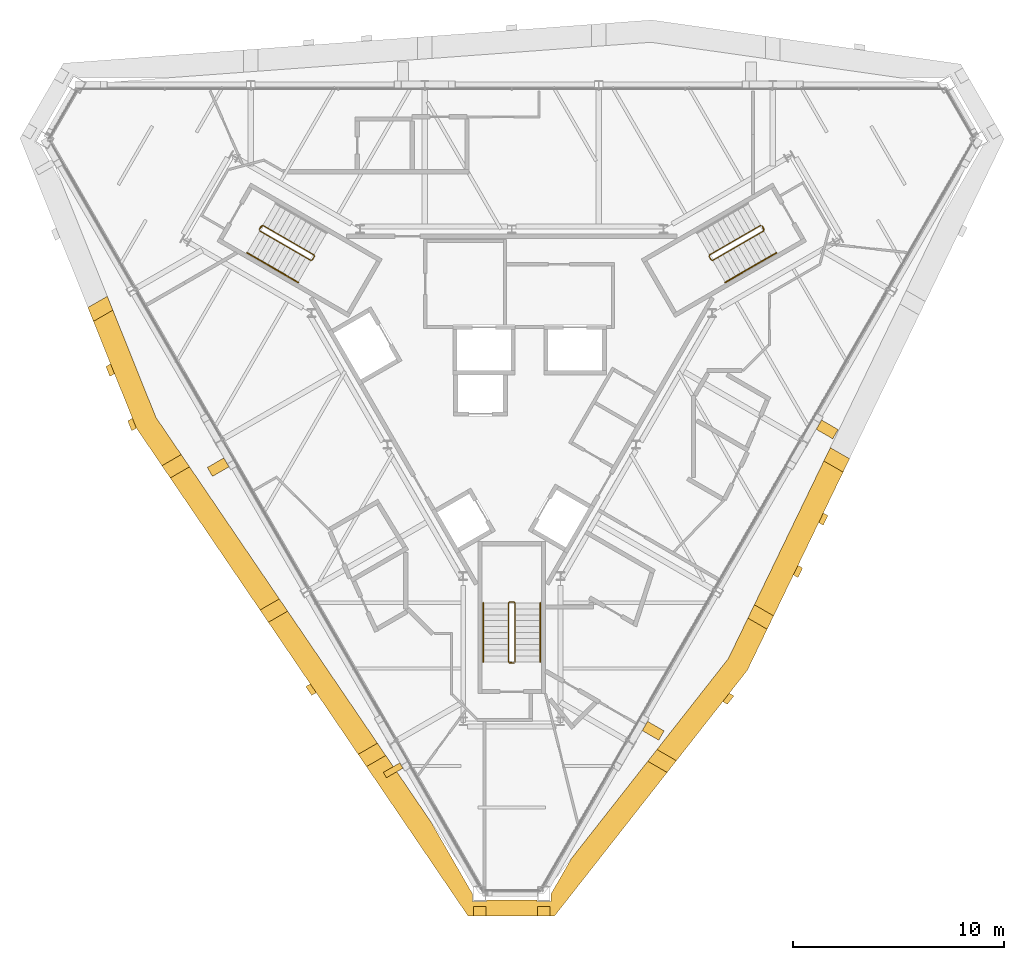
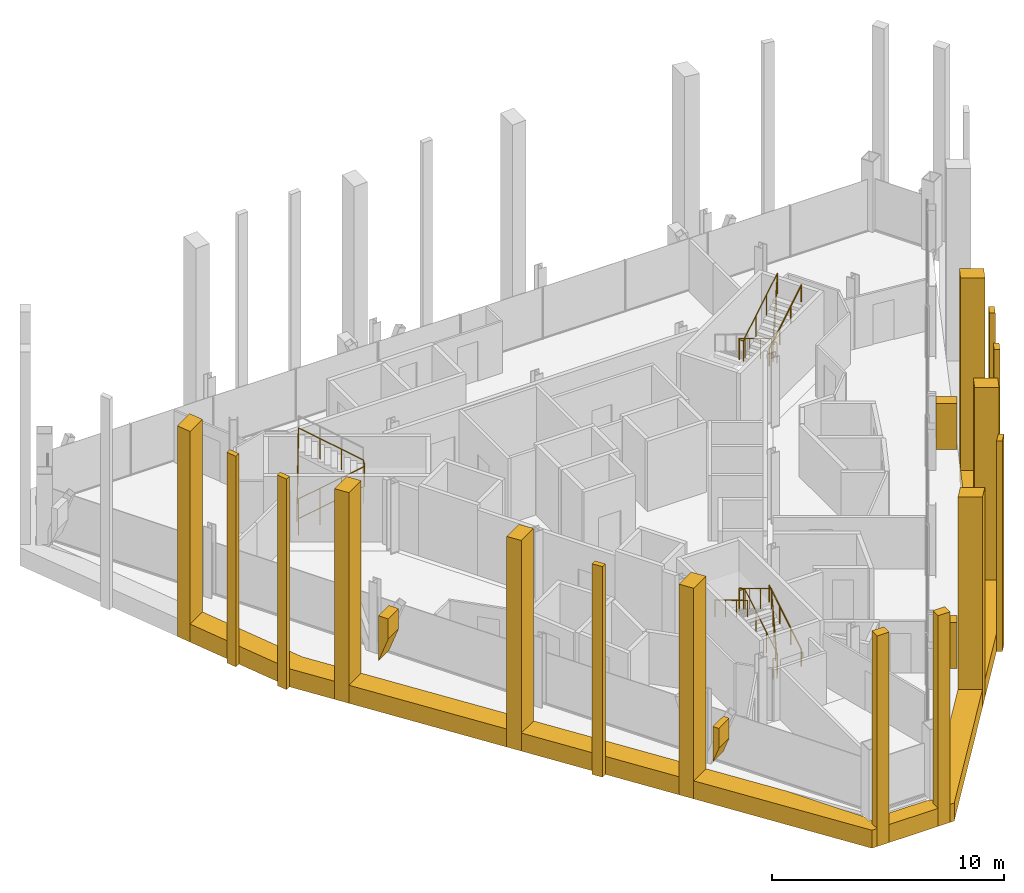
# One storey, part 11 of 12: 25 coverings, 7 railings.
"""IFC4 building model written with IfcOpenShell, lengths in metres."""

from ifc_helpers import new_model, si_unit, direction, frame, origin, origin_2d, place, context, subcontext, project, spatial, polyline, circle, outline, extrude, material, layer, layer_set, type_object, element, save


model = new_model("IFC4")

# Units and contexts
model_context = context("Model", 3, precision=1e-05, world=origin(), true_north=direction((0.0, 1.0)))
body_context = subcontext(model_context, "Body", "Model", "MODEL_VIEW")
ifc_project = project(units=[si_unit("LENGTHUNIT", "METRE"), si_unit("AREAUNIT", "SQUARE_METRE"), si_unit("VOLUMEUNIT", "CUBIC_METRE"), si_unit("PLANEANGLEUNIT", "RADIAN"), si_unit("MASSUNIT", "GRAM", prefix="KILO")], contexts=[model_context])

# Site, building, storey
site_placement = place(None, origin())
site = spatial("IfcSite", under=ifc_project, at=site_placement, CompositionType="ELEMENT")
building_placement = place(site_placement, origin())
building = spatial("IfcBuilding", under=site, at=building_placement, Name="Verrane Prism Tower", CompositionType="ELEMENT")
storey_placement = place(building_placement, frame((0.0, 0.0, 264.0)))
storey = spatial("IfcBuildingStorey", under=building, at=storey_placement, Name="L66", CompositionType="ELEMENT", Elevation=264.0)

# Railings
ifc_material_1 = material(Name="Steel A36 rail and posts, no infill", Category="steel")
railing_type_1 = type_object("IfcRailingType", Name="Stair guard 1100 steel rail and posts", PredefinedType="GUARDRAIL", material=ifc_material_1)
railing_1_placement = place(storey_placement, frame((11.78955078125, 6.97998046875, 0.168212890625)))
element("IfcRailing", 1, at=railing_1_placement, inside=storey, type_object=railing_type_1, Name="Stair 1 guard", PredefinedType="GUARDRAIL", context=body_context, shape_type="SweptSolid", body=[
    extrude(circle(Radius=0.02392578125, at=origin_2d()), frame((0.0, 0.0, 1.076171875), z_axis=(-0.742366697286, -0.42866220388, 0.514917859203), x_axis=(0.500049511043, -0.865996816683, 0.0)), (0.0, 0.0, 1.0), 3.266357421875),
    extrude(circle(Radius=0.02392578125, at=origin_2d()), frame((-2.4248046875, -1.400146484375, 2.7578125), z_axis=(-0.259601060869, -0.965715946433, 0.0), x_axis=(0.965715946433, -0.259601060869, 0.0)), (0.0, 0.0, 1.0), 0.070556640625),
    extrude(circle(Radius=0.02392578125, at=origin_2d()), frame((-2.443115234375, -1.46826171875, 2.7578125), z_axis=(0.499158860599, -0.866510491504, 0.0), x_axis=(0.866510491504, 0.499158860599, 0.0)), (0.0, 0.0, 1.0), 0.199951171875),
    extrude(circle(Radius=0.02392578125, at=origin_2d()), frame((-2.34326171875, -1.6416015625, 2.7578125), z_axis=(0.375047803403, -0.100459233054, 0.92154603122), x_axis=(0.258736085224, 0.965948051503, 0.0)), (0.0, 0.0, 1.0), 0.182373046875),
    extrude(circle(Radius=0.02392578125, at=origin_2d()), frame((-2.27490234375, -1.659912109375, 2.92578125), z_axis=(0.742366697286, 0.42866220388, 0.514917859203), x_axis=(-0.500049511043, 0.865996816683, 0.0)), (0.0, 0.0, 1.0), 3.266357421875),
    extrude(circle(Radius=0.02392578125, at=origin_2d()), frame((0.14990234375, -0.259765625, 4.60791015625), z_axis=(-0.021986835041, 0.065104730107, -0.997636182785), x_axis=(-0.947430582667, -0.3199613899, 0.0)), (0.0, 0.0, 1.0), 3.708740234375),
    extrude(circle(Radius=0.02392578125, at=origin_2d()), frame((0.068359375, -0.018310546875, 0.90771484375), z_axis=(0.499158860599, -0.866510491504, 0.0), x_axis=(0.866510491504, 0.499158860599, 0.0)), (0.0, 0.0, 1.0), 0.199951171875),
    extrude(circle(Radius=0.02099609375, at=origin_2d()), origin(), (0.0, 0.0, 1.0), 1.052001953125),
    extrude(circle(Radius=0.02099609375, at=origin_2d()), frame((-0.808349609375, -0.466796875, 0.560546875)), (0.0, 0.0, 1.0), 1.052001953125),
    extrude(circle(Radius=0.02099609375, at=origin_2d()), frame((-1.616455078125, -0.933349609375, 1.121337890625)), (0.0, 0.0, 1.0), 1.052001953125),
    extrude(circle(Radius=0.02099609375, at=origin_2d()), frame((-2.4248046875, -1.400146484375, 1.681884765625)), (0.0, 0.0, 1.0), 1.052001953125),
    extrude(circle(Radius=0.02099609375, at=origin_2d()), frame((-2.443115234375, -1.46826171875, 1.681884765625)), (0.0, 0.0, 1.0), 1.052001953125),
    extrude(circle(Radius=0.02099609375, at=origin_2d()), frame((-2.34326171875, -1.6416015625, 1.681884765625)), (0.0, 0.0, 1.0), 1.052001953125),
    extrude(circle(Radius=0.02099609375, at=origin_2d()), frame((-2.27490234375, -1.659912109375, 1.849853515625)), (0.0, 0.0, 1.0), 1.052001953125),
    extrude(circle(Radius=0.02099609375, at=origin_2d()), frame((-1.466552734375, -1.193115234375, 2.410400390625)), (0.0, 0.0, 1.0), 1.052001953125),
    extrude(circle(Radius=0.02099609375, at=origin_2d()), frame((-0.658447265625, -0.7265625, 2.97119140625)), (0.0, 0.0, 1.0), 1.052001953125),
    extrude(circle(Radius=0.02099609375, at=origin_2d()), frame((0.14990234375, -0.259765625, 3.53173828125)), (0.0, 0.0, 1.0), 1.052001953125),
    extrude(circle(Radius=0.02099609375, at=origin_2d()), frame((0.12939453125, -0.199462890625, 2.606689453125)), (0.0, 0.0, 1.0), 1.052001953125),
    extrude(circle(Radius=0.02099609375, at=origin_2d()), frame((0.109130859375, -0.13916015625, 1.681640625)), (0.0, 0.0, 1.0), 1.052001953125),
    extrude(circle(Radius=0.02099609375, at=origin_2d()), frame((0.0888671875, -0.07861328125, 0.7568359375)), (0.0, 0.0, 1.0), 1.052001953125),
    extrude(circle(Radius=0.02099609375, at=origin_2d()), frame((0.068359375, -0.018310546875, -0.168212890625)), (0.0, 0.0, 1.0), 1.052001953125),
    extrude(circle(Radius=0.02099609375, at=origin_2d()), frame((0.168212890625, -0.191650390625, -0.168212890625)), (0.0, 0.0, 1.0), 1.052001953125),
])
railing_2_placement = place(storey_placement, frame((-11.939453125, 6.72021484375, 0.168212890625)))
element("IfcRailing", 2, at=railing_2_placement, inside=storey, type_object=railing_type_1, Name="Stair 2 guard", PredefinedType="GUARDRAIL", context=body_context, shape_type="SweptSolid", body=[
    extrude(circle(Radius=0.02392578125, at=origin_2d()), frame((0.0, 0.0, 1.076171875), z_axis=(0.742366697286, -0.42866220388, 0.514917859203), x_axis=(0.500049511043, 0.865996816683, 0.0)), (0.0, 0.0, 1.0), 3.266357421875),
    extrude(circle(Radius=0.02392578125, at=origin_2d()), frame((2.4248046875, -1.400146484375, 2.7578125), z_axis=(0.965948051503, 0.258736085224, 0.0), x_axis=(-0.258736085224, 0.965948051503, 0.0)), (0.0, 0.0, 1.0), 0.07080078125),
    extrude(circle(Radius=0.02392578125, at=origin_2d()), frame((2.4931640625, -1.3818359375, 2.7578125), z_axis=(0.499158860599, 0.866510491504, 0.0), x_axis=(-0.866510491504, 0.499158860599, 0.0)), (0.0, 0.0, 1.0), 0.199951171875),
    extrude(circle(Radius=0.02392578125, at=origin_2d()), frame((2.593017578125, -1.20849609375, 2.7578125), z_axis=(-0.10050964758, 0.373895888998, 0.922008500467), x_axis=(-0.965715946433, -0.259601060869, 0.0)), (0.0, 0.0, 1.0), 0.18212890625),
    extrude(circle(Radius=0.02392578125, at=origin_2d()), frame((2.57470703125, -1.140380859375, 2.92578125), z_axis=(-0.742366697286, 0.42866220388, 0.514917859203), x_axis=(-0.500049511043, -0.865996816683, 0.0)), (0.0, 0.0, 1.0), 3.266357421875),
    extrude(circle(Radius=0.02392578125, at=origin_2d()), frame((0.14990234375, 0.259765625, 4.60791015625), z_axis=(-0.04535595117, -0.051675503147, -0.99763343973), x_axis=(0.751567565678, -0.659656118156, 0.0)), (0.0, 0.0, 1.0), 3.708740234375),
    extrude(circle(Radius=0.02392578125, at=origin_2d()), frame((-0.018310546875, 0.068115234375, 0.90771484375), z_axis=(0.499158860599, 0.866510491504, 0.0), x_axis=(-0.866510491504, 0.499158860599, 0.0)), (0.0, 0.0, 1.0), 0.199951171875),
    extrude(circle(Radius=0.02099609375, at=origin_2d()), origin(), (0.0, 0.0, 1.0), 1.052001953125),
    extrude(circle(Radius=0.02099609375, at=origin_2d()), frame((0.808349609375, -0.466796875, 0.560546875)), (0.0, 0.0, 1.0), 1.052001953125),
    extrude(circle(Radius=0.02099609375, at=origin_2d()), frame((1.616455078125, -0.933349609375, 1.121337890625)), (0.0, 0.0, 1.0), 1.052001953125),
    extrude(circle(Radius=0.02099609375, at=origin_2d()), frame((2.4248046875, -1.400146484375, 1.681884765625)), (0.0, 0.0, 1.0), 1.052001953125),
    extrude(circle(Radius=0.02099609375, at=origin_2d()), frame((2.4931640625, -1.3818359375, 1.681884765625)), (0.0, 0.0, 1.0), 1.052001953125),
    extrude(circle(Radius=0.02099609375, at=origin_2d()), frame((2.593017578125, -1.20849609375, 1.681884765625)), (0.0, 0.0, 1.0), 1.052001953125),
    extrude(circle(Radius=0.02099609375, at=origin_2d()), frame((2.57470703125, -1.140380859375, 1.849853515625)), (0.0, 0.0, 1.0), 1.052001953125),
    extrude(circle(Radius=0.02099609375, at=origin_2d()), frame((1.766357421875, -0.673583984375, 2.410400390625)), (0.0, 0.0, 1.0), 1.052001953125),
    extrude(circle(Radius=0.02099609375, at=origin_2d()), frame((0.958251953125, -0.20703125, 2.97119140625)), (0.0, 0.0, 1.0), 1.052001953125),
    extrude(circle(Radius=0.02099609375, at=origin_2d()), frame((0.14990234375, 0.259765625, 3.53173828125)), (0.0, 0.0, 1.0), 1.052001953125),
    extrude(circle(Radius=0.02099609375, at=origin_2d()), frame((0.10791015625, 0.2119140625, 2.606689453125)), (0.0, 0.0, 1.0), 1.052001953125),
    extrude(circle(Radius=0.02099609375, at=origin_2d()), frame((0.06591796875, 0.1640625, 1.681640625)), (0.0, 0.0, 1.0), 1.052001953125),
    extrude(circle(Radius=0.02099609375, at=origin_2d()), frame((0.023681640625, 0.115966796875, 0.7568359375)), (0.0, 0.0, 1.0), 1.052001953125),
    extrude(circle(Radius=0.02099609375, at=origin_2d()), frame((-0.018310546875, 0.068115234375, -0.168212890625)), (0.0, 0.0, 1.0), 1.052001953125),
    extrude(circle(Radius=0.02099609375, at=origin_2d()), frame((0.08154296875, 0.241455078125, -0.168212890625)), (0.0, 0.0, 1.0), 1.052001953125),
])
railing_3_placement = place(storey_placement, frame((0.14990234375, -13.699951171875, 0.168212890625)))
element("IfcRailing", 3, at=railing_3_placement, inside=storey, type_object=railing_type_1, Name="Stair 3 guard", PredefinedType="GUARDRAIL", context=body_context, shape_type="SweptSolid", body=[
    extrude(circle(Radius=0.02392578125, at=origin_2d()), frame((0.0, 0.0, 1.076171875), z_axis=(0.0, 0.857242210791, 0.514913383045), x_axis=(-1.0, 0.0, 0.0)), (0.0, 0.0, 1.0), 3.266357421875),
    extrude(circle(Radius=0.02392578125, at=origin_2d()), frame((0.0, 2.800048828125, 2.7578125), z_axis=(-0.707106781187, 0.707106781187, 0.0), x_axis=(-0.707106781187, -0.707106781187, 0.0)), (0.0, 0.0, 1.0), 0.0703125),
    extrude(circle(Radius=0.02392578125, at=origin_2d()), frame((-0.0498046875, 2.849853515625, 2.7578125), z_axis=(-1.0, 0.0, 0.0), x_axis=(0.0, -1.0, 0.0)), (0.0, 0.0, 1.0), 0.2001953125),
    extrude(circle(Radius=0.02392578125, at=origin_2d()), frame((-0.25, 2.849853515625, 2.7578125), z_axis=(-0.273443704961, -0.273443704961, 0.922202299083), x_axis=(0.707106781187, -0.707106781187, 0.0)), (0.0, 0.0, 1.0), 0.18212890625),
    extrude(circle(Radius=0.02392578125, at=origin_2d()), frame((-0.2998046875, 2.800048828125, 2.92578125), z_axis=(0.0, -0.857242210791, 0.514913383045), x_axis=(1.0, 0.0, 0.0)), (0.0, 0.0, 1.0), 3.266357421875),
    extrude(circle(Radius=0.02392578125, at=origin_2d()), frame((-0.2998046875, 0.0, 4.60791015625), z_axis=(0.067408604812, -0.013494886706, -0.997634185476), x_axis=(0.196300278283, 0.98054382908, 0.0)), (0.0, 0.0, 1.0), 3.708740234375),
    extrude(circle(Radius=0.02392578125, at=origin_2d()), frame((-0.0498046875, -0.050048828125, 0.90771484375), z_axis=(-1.0, 0.0, 0.0), x_axis=(0.0, -1.0, 0.0)), (0.0, 0.0, 1.0), 0.2001953125),
    extrude(circle(Radius=0.02099609375, at=origin_2d()), origin(), (0.0, 0.0, 1.0), 1.052001953125),
    extrude(circle(Radius=0.02099609375, at=origin_2d()), frame((0.0, 0.933349609375, 0.560546875)), (0.0, 0.0, 1.0), 1.052001953125),
    extrude(circle(Radius=0.02099609375, at=origin_2d()), frame((0.0, 1.86669921875, 1.121337890625)), (0.0, 0.0, 1.0), 1.052001953125),
    extrude(circle(Radius=0.02099609375, at=origin_2d()), frame((0.0, 2.800048828125, 1.681884765625)), (0.0, 0.0, 1.0), 1.052001953125),
    extrude(circle(Radius=0.02099609375, at=origin_2d()), frame((-0.0498046875, 2.849853515625, 1.681884765625)), (0.0, 0.0, 1.0), 1.052001953125),
    extrude(circle(Radius=0.02099609375, at=origin_2d()), frame((-0.25, 2.849853515625, 1.681884765625)), (0.0, 0.0, 1.0), 1.052001953125),
    extrude(circle(Radius=0.02099609375, at=origin_2d()), frame((-0.2998046875, 2.800048828125, 1.849853515625)), (0.0, 0.0, 1.0), 1.052001953125),
    extrude(circle(Radius=0.02099609375, at=origin_2d()), frame((-0.2998046875, 1.86669921875, 2.410400390625)), (0.0, 0.0, 1.0), 1.052001953125),
    extrude(circle(Radius=0.02099609375, at=origin_2d()), frame((-0.2998046875, 0.933349609375, 2.97119140625)), (0.0, 0.0, 1.0), 1.052001953125),
    extrude(circle(Radius=0.02099609375, at=origin_2d()), frame((-0.2998046875, 0.0, 3.53173828125)), (0.0, 0.0, 1.0), 1.052001953125),
    extrude(circle(Radius=0.02099609375, at=origin_2d()), frame((-0.2373046875, -0.012451171875, 2.606689453125)), (0.0, 0.0, 1.0), 1.052001953125),
    extrude(circle(Radius=0.02099609375, at=origin_2d()), frame((-0.1748046875, -0.02490234375, 1.681640625)), (0.0, 0.0, 1.0), 1.052001953125),
    extrude(circle(Radius=0.02099609375, at=origin_2d()), frame((-0.1123046875, -0.03759765625, 0.7568359375)), (0.0, 0.0, 1.0), 1.052001953125),
    extrude(circle(Radius=0.02099609375, at=origin_2d()), frame((-0.0498046875, -0.050048828125, -0.168212890625)), (0.0, 0.0, 1.0), 1.052001953125),
    extrude(circle(Radius=0.02099609375, at=origin_2d()), frame((-0.25, -0.050048828125, -0.168212890625)), (0.0, 0.0, 1.0), 1.052001953125),
])
ifc_material_2 = material(Name="Steel A36 tube", Category="steel")
railing_type_2 = type_object("IfcRailingType", Name="Stair handrail 900 steel tube", PredefinedType="HANDRAIL", material=ifc_material_2)
railing_4_placement = place(storey_placement, frame((10.11474609375, 4.28076171875, 2.01806640625)))
element("IfcRailing", 4, at=railing_4_placement, inside=storey, type_object=railing_type_2, Name="Stair 1 handrail", PredefinedType="HANDRAIL", context=body_context, shape_type="SweptSolid", body=[
    extrude(circle(Radius=0.02392578125, at=origin_2d()), frame((0.0, 0.0, 0.8759765625), z_axis=(0.742366697286, 0.42866220388, 0.514917859203), x_axis=(-0.500049511043, 0.865996816683, 0.0)), (0.0, 0.0, 1.0), 3.266357421875),
    extrude(circle(Radius=0.02099609375, at=origin_2d()), origin(), (0.0, 0.0, 1.0), 0.851806640625),
    extrude(circle(Radius=0.02099609375, at=origin_2d()), frame((0.808349609375, 0.466796875, 0.560546875)), (0.0, 0.0, 1.0), 0.851806640625),
    extrude(circle(Radius=0.02099609375, at=origin_2d()), frame((1.616455078125, 0.933349609375, 1.121337890625)), (0.0, 0.0, 1.0), 0.851806640625),
    extrude(circle(Radius=0.02099609375, at=origin_2d()), frame((2.4248046875, 1.400146484375, 1.681884765625)), (0.0, 0.0, 1.0), 0.851806640625),
])
railing_5_placement = place(storey_placement, frame((-12.53955078125, 5.680908203125, 0.168212890625)))
element("IfcRailing", 5, at=railing_5_placement, inside=storey, type_object=railing_type_2, Name="Stair 2 handrail", PredefinedType="HANDRAIL", context=body_context, shape_type="SweptSolid", body=[
    extrude(circle(Radius=0.02392578125, at=origin_2d()), frame((0.0, 0.0, 0.8759765625), z_axis=(0.742366697286, -0.42866220388, 0.514917859203), x_axis=(0.500049511043, 0.865996816683, 0.0)), (0.0, 0.0, 1.0), 3.266357421875),
    extrude(circle(Radius=0.02099609375, at=origin_2d()), origin(), (0.0, 0.0, 1.0), 0.851806640625),
    extrude(circle(Radius=0.02099609375, at=origin_2d()), frame((0.808349609375, -0.466796875, 0.560546875)), (0.0, 0.0, 1.0), 0.851806640625),
    extrude(circle(Radius=0.02099609375, at=origin_2d()), frame((1.616455078125, -0.933349609375, 1.121337890625)), (0.0, 0.0, 1.0), 0.851806640625),
    extrude(circle(Radius=0.02099609375, at=origin_2d()), frame((2.4248046875, -1.400146484375, 1.681884765625)), (0.0, 0.0, 1.0), 0.851806640625),
])
railing_6_placement = place(storey_placement, frame((1.35009765625, -13.699951171875, 0.168212890625)))
element("IfcRailing", 6, at=railing_6_placement, inside=storey, type_object=railing_type_2, Name="Stair 3 handrail", PredefinedType="HANDRAIL", context=body_context, shape_type="SweptSolid", body=[
    extrude(circle(Radius=0.02392578125, at=origin_2d()), frame((0.0, 0.0, 0.8759765625), z_axis=(0.0, 0.857242210791, 0.514913383045), x_axis=(-1.0, 0.0, 0.0)), (0.0, 0.0, 1.0), 3.266357421875),
    extrude(circle(Radius=0.02099609375, at=origin_2d()), origin(), (0.0, 0.0, 1.0), 0.851806640625),
    extrude(circle(Radius=0.02099609375, at=origin_2d()), frame((0.0, 0.933349609375, 0.560546875)), (0.0, 0.0, 1.0), 0.851806640625),
    extrude(circle(Radius=0.02099609375, at=origin_2d()), frame((0.0, 1.86669921875, 1.121337890625)), (0.0, 0.0, 1.0), 0.851806640625),
    extrude(circle(Radius=0.02099609375, at=origin_2d()), frame((0.0, 2.800048828125, 1.681884765625)), (0.0, 0.0, 1.0), 0.851806640625),
])
railing_7_placement = place(storey_placement, frame((-1.35009765625, -10.89990234375, 2.01806640625)))
element("IfcRailing", 7, at=railing_7_placement, inside=storey, type_object=railing_type_2, Name="Stair 3 handrail", PredefinedType="HANDRAIL", context=body_context, shape_type="SweptSolid", body=[
    extrude(circle(Radius=0.02392578125, at=origin_2d()), frame((0.0, 0.0, 0.8759765625), z_axis=(0.0, -0.857242210791, 0.514913383045), x_axis=(1.0, 0.0, 0.0)), (0.0, 0.0, 1.0), 3.266357421875),
    extrude(circle(Radius=0.02099609375, at=origin_2d()), origin(), (0.0, 0.0, 1.0), 0.851806640625),
    extrude(circle(Radius=0.02099609375, at=origin_2d()), frame((0.0, -0.933349609375, 0.560546875)), (0.0, 0.0, 1.0), 0.851806640625),
    extrude(circle(Radius=0.02099609375, at=origin_2d()), frame((0.0, -1.86669921875, 1.121337890625)), (0.0, 0.0, 1.0), 0.851806640625),
    extrude(circle(Radius=0.02099609375, at=origin_2d()), frame((0.0, -2.800048828125, 1.681884765625)), (0.0, 0.0, 1.0), 0.851806640625),
])

# Coverings
ifc_material_3 = material(Name="Warm limestone cladding", Category="masonry")
ifc_layer_1 = layer(ifc_material_3, 0.89990234375)
ifc_layer_set_1 = layer_set([ifc_layer_1], Name="Stone brace fin 900")
covering_type_1 = type_object("IfcCoveringType", Name="Stone brace fin 900", PredefinedType="CLADDING", material=ifc_layer_set_1)
covering_1_placement = place(storey_placement, frame((-14.02734375, -4.259765625, 0.37255859375), z_axis=(0.0, 0.0, 1.0), x_axis=(0.500344417918, -0.865826462669, 0.0)))
element("IfcCovering", 8, at=covering_1_placement, inside=storey, type_object=covering_type_1, Name="Stone brace fin SW3 L66", PredefinedType="CLADDING", context=body_context, shape_type="SweptSolid", body=[
    extrude(outline(polyline([(0.487060546875, 2.37744140625), (0.0, 2.37744140625), (0.0, 0.0), (0.487060546875, 1.31298828125), (0.487060546875, 2.37744140625)])), frame((0.0, 0.449951171875, 0.0), z_axis=(0.0, -1.0, 0.0), x_axis=(1.0, 0.0, 0.0)), (0.0, 0.0, 1.0), 0.89990234375),
])
covering_2_placement = place(storey_placement, frame((-5.690185546875, -18.699462890625, 0.89892578125), z_axis=(0.0, 0.0, 1.0), x_axis=(0.499818765479, -0.866130014302, 0.0)))
element("IfcCovering", 9, at=covering_2_placement, inside=storey, type_object=covering_type_1, Name="Stone brace fin SW5 L66", PredefinedType="CLADDING", context=body_context, shape_type="SweptSolid", body=[
    extrude(outline(polyline([(0.29248046875, 1.85107421875), (0.0, 1.85107421875), (0.0, 0.0), (0.29248046875, 0.787841796875), (0.29248046875, 1.85107421875)])), frame((0.0, 0.449951171875, 0.0), z_axis=(0.0, -1.0, 0.0), x_axis=(1.0, 0.0, 0.0)), (0.0, 0.0, 1.0), 0.89990234375),
])
for number, where, z_axis, x_axis, name in (
    (10, (6.5703125, -17.173828125, 0.3212890625), (0.0, 0.0, 1.0), (0.499972622635, 0.866041209536, 0.0), "Stone brace fin SE2 L66"),
    (11, (14.810302734375, -2.90380859375, 0.3212890625), (0.0, 0.0, 1.0), (0.499972622635, 0.866041209536, 0.0), "Stone brace fin SE4 L66"),
):
    element("IfcCovering", number, at=place(storey_placement, frame(where, z_axis=z_axis, x_axis=x_axis)), inside=storey, type_object=covering_type_1, Name=name, PredefinedType="CLADDING", context=body_context, shape_type="SweptSolid", body=[
        extrude(outline(polyline([(0.507080078125, 2.4287109375), (0.0, 2.4287109375), (0.0, 0.0), (0.507080078125, 1.365478515625), (0.507080078125, 2.4287109375)])), frame((0.0, 0.449951171875, 0.0), z_axis=(0.0, -1.0, 0.0), x_axis=(1.0, 0.0, 0.0)), (0.0, 0.0, 1.0), 0.89990234375),
    ])
ifc_material_4 = material(Name="Warm limestone cladding", Category="masonry")
covering_type_2 = type_object("IfcCoveringType", Name="Stone corner pier 600", PredefinedType="CLADDING", material=ifc_material_4)
covering_3_placement = place(storey_placement, frame((0.0, 0.0, -0.949951171875)))
element("IfcCovering", 12, at=covering_3_placement, inside=storey, type_object=covering_type_2, Name="Stone pier MC-S.a L66-L68", PredefinedType="CLADDING", context=body_context, shape_type="SweptSolid", body=[
    extrude(outline(polyline([(-1.218994140625, -25.26904296875), (-1.819091796875, -25.26904296875), (-1.819091796875, -25.718994140625), (-1.218994140625, -25.718994140625), (-1.218994140625, -25.26904296875)])), origin(), (0.0, 0.0, 1.0), 11.099853515625),
])
covering_4_placement = place(storey_placement, frame((0.0, 0.0, -0.949951171875)))
element("IfcCovering", 13, at=covering_4_placement, inside=storey, type_object=covering_type_2, Name="Stone pier MC-S.b L66-L68", PredefinedType="CLADDING", context=body_context, shape_type="SweptSolid", body=[
    extrude(outline(polyline([(1.819091796875, -25.26904296875), (1.218994140625, -25.26904296875), (1.218994140625, -25.718994140625), (1.819091796875, -25.718994140625), (1.819091796875, -25.26904296875)])), origin(), (0.0, 0.0, 1.0), 11.099853515625),
])
ifc_material_5 = material(Name="Warm limestone cladding", Category="masonry")
covering_type_3 = type_object("IfcCoveringType", Name="Stone mullion pier 500", PredefinedType="CLADDING", material=ifc_material_5)
covering_5_placement = place(storey_placement, frame((0.0, 0.0, -0.949951171875)))
element("IfcCovering", 14, at=covering_5_placement, inside=storey, type_object=covering_type_3, Name="Stone pier SM-SW1.1 L66-L68", PredefinedType="CLADDING", context=body_context, shape_type="SweptSolid", body=[
    extrude(outline(polyline([(-18.81201171875, -0.046875), (-19.0, 0.421875), (-19.21875, 0.295654296875), (-19.030517578125, -0.173095703125), (-18.81201171875, -0.046875)])), origin(), (0.0, 0.0, 1.0), 11.099853515625),
])
covering_6_placement = place(storey_placement, frame((0.0, 0.0, -0.949951171875)))
element("IfcCovering", 15, at=covering_6_placement, inside=storey, type_object=covering_type_3, Name="Stone pier SM-SW1.2 L66-L68", PredefinedType="CLADDING", context=body_context, shape_type="SweptSolid", body=[
    extrude(outline(polyline([(-17.775634765625, -2.620849609375), (-17.781982421875, -2.611328125), (-17.966064453125, -2.1533203125), (-18.184814453125, -2.279541015625), (-18.004150390625, -2.7294921875), (-17.992919921875, -2.74609375), (-17.775634765625, -2.620849609375)])), origin(), (0.0, 0.0, 1.0), 11.099853515625),
])
covering_7_placement = place(storey_placement, frame((0.0, 0.0, -0.949951171875)))
element("IfcCovering", 16, at=covering_7_placement, inside=storey, type_object=covering_type_3, Name="Stone pier SM-SW3.1 L66-L68", PredefinedType="CLADDING", context=body_context, shape_type="SweptSolid", body=[
    extrude(outline(polyline([(-9.258544921875, -15.15087890625), (-9.540283203125, -14.736083984375), (-9.75732421875, -14.861572265625), (-9.4755859375, -15.276123046875), (-9.258544921875, -15.15087890625)])), origin(), (0.0, 0.0, 1.0), 11.099853515625),
])
covering_8_placement = place(storey_placement, frame((0.0, 0.0, -0.949951171875)))
element("IfcCovering", 17, at=covering_8_placement, inside=storey, type_object=covering_type_3, Name="Stone pier SM-SE1.1 L66-L68", PredefinedType="CLADDING", context=body_context, shape_type="SweptSolid", body=[
    extrude(outline(polyline([(10.302978515625, -15.176513671875), (9.9912109375, -15.573974609375), (10.2099609375, -15.7001953125), (10.521728515625, -15.302978515625), (10.302978515625, -15.176513671875)])), origin(), (0.0, 0.0, 1.0), 11.099853515625),
])
covering_9_placement = place(storey_placement, frame((0.0, 0.0, -0.949951171875)))
element("IfcCovering", 18, at=covering_9_placement, inside=storey, type_object=covering_type_3, Name="Stone pier SM-SE2.1 L66-L68", PredefinedType="CLADDING", context=body_context, shape_type="SweptSolid", body=[
    extrude(outline(polyline([(13.554931640625, -9.123291015625), (13.3369140625, -9.57470703125), (13.553955078125, -9.7001953125), (13.77197265625, -9.248779296875), (13.554931640625, -9.123291015625)])), origin(), (0.0, 0.0, 1.0), 11.099853515625),
])
covering_10_placement = place(storey_placement, frame((0.0, 0.0, -0.949951171875)))
element("IfcCovering", 19, at=covering_10_placement, inside=storey, type_object=covering_type_3, Name="Stone pier SM-SE2.2 L66-L68", PredefinedType="CLADDING", context=body_context, shape_type="SweptSolid", body=[
    extrude(outline(polyline([(14.753662109375, -6.643310546875), (14.535400390625, -7.094482421875), (14.752685546875, -7.219970703125), (14.970703125, -6.7685546875), (14.753662109375, -6.643310546875)])), origin(), (0.0, 0.0, 1.0), 11.099853515625),
])
ifc_material_6 = material(Name="Warm limestone cladding", Category="masonry")
covering_type_4 = type_object("IfcCoveringType", Name="Stone pier 700", PredefinedType="CLADDING", material=ifc_material_6)
covering_11_placement = place(storey_placement, frame((0.0, 0.0, -0.949951171875)))
element("IfcCovering", 20, at=covering_11_placement, inside=storey, type_object=covering_type_4, Name="Stone pier PC-SW1 L66-L68", PredefinedType="CLADDING", context=body_context, shape_type="SweptSolid", body=[
    extrude(outline(polyline([(-19.80810546875, 2.434814453125), (-18.8896484375, 2.965087890625), (-19.1533203125, 3.621337890625), (-20.07177734375, 3.0908203125), (-19.80810546875, 2.434814453125)])), origin(), (0.0, 0.0, 1.0), 11.099853515625),
])
covering_12_placement = place(storey_placement, frame((0.0, 0.0, -0.949951171875)))
element("IfcCovering", 21, at=covering_12_placement, inside=storey, type_object=covering_type_4, Name="Stone pier PC-SW2 L66-L68", PredefinedType="CLADDING", context=body_context, shape_type="SweptSolid", body=[
    extrude(outline(polyline([(-16.1708984375, -4.98193359375), (-15.259033203125, -4.45556640625), (-15.653564453125, -3.875), (-16.565185546875, -4.401611328125), (-16.1708984375, -4.98193359375)])), origin(), (0.0, 0.0, 1.0), 11.099853515625),
])
covering_13_placement = place(storey_placement, frame((0.0, 0.0, -0.949951171875)))
element("IfcCovering", 22, at=covering_13_placement, inside=storey, type_object=covering_type_4, Name="Stone pier PC-SW3 L66-L68", PredefinedType="CLADDING", context=body_context, shape_type="SweptSolid", body=[
    extrude(outline(polyline([(-11.52490234375, -11.81640625), (-10.61328125, -11.2900390625), (-11.0078125, -10.709716796875), (-11.919677734375, -11.236083984375), (-11.52490234375, -11.81640625)])), origin(), (0.0, 0.0, 1.0), 11.099853515625),
])
covering_14_placement = place(storey_placement, frame((0.0, 0.0, -0.949951171875)))
element("IfcCovering", 23, at=covering_14_placement, inside=storey, type_object=covering_type_4, Name="Stone pier PC-SW4 L66-L68", PredefinedType="CLADDING", context=body_context, shape_type="SweptSolid", body=[
    extrude(outline(polyline([(-6.879150390625, -18.651123046875), (-5.967529296875, -18.124755859375), (-6.362060546875, -17.544189453125), (-7.273681640625, -18.070556640625), (-6.879150390625, -18.651123046875)])), origin(), (0.0, 0.0, 1.0), 11.099853515625),
])
covering_15_placement = place(storey_placement, frame((0.0, 0.0, -0.949951171875)))
element("IfcCovering", 24, at=covering_15_placement, inside=storey, type_object=covering_type_4, Name="Stone pier PC-SE1 L66-L68", PredefinedType="CLADDING", context=body_context, shape_type="SweptSolid", body=[
    extrude(outline(polyline([(7.795654296875, -18.371826171875), (6.876953125, -17.841552734375), (6.4404296875, -18.397705078125), (7.35888671875, -18.927978515625), (7.795654296875, -18.371826171875)])), origin(), (0.0, 0.0, 1.0), 11.099853515625),
])
covering_16_placement = place(storey_placement, frame((0.0, 0.0, -0.949951171875)))
element("IfcCovering", 25, at=covering_16_placement, inside=storey, type_object=covering_type_4, Name="Stone pier PC-SE2 L66-L68", PredefinedType="CLADDING", context=body_context, shape_type="SweptSolid", body=[
    extrude(outline(polyline([(12.39990234375, -11.51318359375), (11.488037109375, -10.98681640625), (11.1826171875, -11.618896484375), (12.094482421875, -12.145263671875), (12.39990234375, -11.51318359375)])), origin(), (0.0, 0.0, 1.0), 11.099853515625),
])
covering_17_placement = place(storey_placement, frame((0.0, 0.0, -0.949951171875)))
element("IfcCovering", 26, at=covering_17_placement, inside=storey, type_object=covering_type_4, Name="Stone pier PC-SE3 L66-L68", PredefinedType="CLADDING", context=body_context, shape_type="SweptSolid", body=[
    extrude(outline(polyline([(15.995849609375, -4.07275390625), (15.084228515625, -3.54638671875), (14.77880859375, -4.17822265625), (15.6904296875, -4.70458984375), (15.995849609375, -4.07275390625)])), origin(), (0.0, 0.0, 1.0), 11.099853515625),
])
ifc_material_7 = material(Name="Warm limestone cladding", Category="masonry")
ifc_layer_2 = layer(ifc_material_7, 0.449951171875)
ifc_layer_set_2 = layer_set([ifc_layer_2], Name="Stone spandrel band 450")
covering_type_5 = type_object("IfcCoveringType", Name="Stone spandrel band 450", PredefinedType="CLADDING", material=ifc_layer_set_2)
covering_18_placement = place(storey_placement, frame((0.0, 0.0, -0.949951171875)))
element("IfcCovering", 27, at=covering_18_placement, inside=storey, type_object=covering_type_5, Name="Stone spandrel band L66 part 1", PredefinedType="CLADDING", context=body_context, shape_type="SweptSolid", body=[
    extrude(outline(polyline([(-1.08349609375, -24.968994140625), (-1.18994140625, -24.968994140625), (-1.18994140625, -25.050048828125), (-1.85009765625, -25.050048828125), (-1.85009765625, -24.69580078125), (-3.818603515625, -21.285888671875), (-5.967529296875, -18.124755859375), (-6.879150390625, -18.651123046875), (-2.074951171875, -25.718994140625), (-1.819091796875, -25.718994140625), (-1.819091796875, -25.26904296875), (-1.218994140625, -25.26904296875), (-1.218994140625, -25.718994140625), (1.218994140625, -25.718994140625), (1.218994140625, -25.26904296875), (1.819091796875, -25.26904296875), (1.819091796875, -25.718994140625), (2.02978515625, -25.718994140625), (7.35888671875, -18.927978515625), (6.4404296875, -18.397705078125), (2.82958984375, -22.998779296875), (1.85009765625, -24.69580078125), (1.85009765625, -25.050048828125), (1.18994140625, -25.050048828125), (1.18994140625, -24.968994140625), (-0.419189453125, -24.968994140625), (-0.419189453125, -24.969970703125), (-0.466064453125, -24.969970703125), (-0.466064453125, -24.968994140625), (-0.547119140625, -24.968994140625), (-0.547119140625, -24.969970703125), (-0.57666015625, -24.969970703125), (-0.57666015625, -24.968994140625), (-0.92578125, -24.968994140625), (-0.92578125, -24.969970703125), (-0.972900390625, -24.969970703125), (-0.972900390625, -24.968994140625), (-1.053955078125, -24.968994140625), (-1.053955078125, -24.969970703125), (-1.08349609375, -24.969970703125), (-1.08349609375, -24.968994140625)])), origin(), (0.0, 0.0, 1.0), 0.949951171875),
])
covering_19_placement = place(storey_placement, frame((0.0, 0.0, -0.949951171875)))
element("IfcCovering", 28, at=covering_19_placement, inside=storey, type_object=covering_type_5, Name="Stone spandrel band L66 part 4", PredefinedType="CLADDING", context=body_context, shape_type="SweptSolid", body=[
    extrude(outline(polyline([(-15.653564453125, -3.875), (-16.85009765625, -2.114990234375), (-18.8896484375, 2.965087890625), (-19.80810546875, 2.434814453125), (-17.781982421875, -2.611328125), (-16.565185546875, -4.401611328125), (-15.653564453125, -3.875)])), origin(), (0.0, 0.0, 1.0), 0.949951171875),
])
covering_20_placement = place(storey_placement, frame((0.0, 0.0, -0.949951171875)))
element("IfcCovering", 29, at=covering_20_placement, inside=storey, type_object=covering_type_5, Name="Stone spandrel band L66 part 5", PredefinedType="CLADDING", context=body_context, shape_type="SweptSolid", body=[
    extrude(outline(polyline([(12.094482421875, -12.145263671875), (11.1826171875, -11.618896484375), (10.256591796875, -13.53515625), (6.876953125, -17.841552734375), (7.795654296875, -18.371826171875), (11.152587890625, -14.093994140625), (12.094482421875, -12.145263671875)])), origin(), (0.0, 0.0, 1.0), 0.949951171875),
])
covering_21_placement = place(storey_placement, frame((0.0, 0.0, -0.949951171875)))
element("IfcCovering", 30, at=covering_21_placement, inside=storey, type_object=covering_type_5, Name="Stone spandrel band L66 part 7", PredefinedType="CLADDING", context=body_context, shape_type="SweptSolid", body=[
    extrude(outline(polyline([(-11.919677734375, -11.236083984375), (-11.0078125, -10.709716796875), (-15.259033203125, -4.45556640625), (-16.1708984375, -4.98193359375), (-11.919677734375, -11.236083984375)])), origin(), (0.0, 0.0, 1.0), 0.949951171875),
])
covering_22_placement = place(storey_placement, frame((0.0, 0.0, -0.949951171875)))
element("IfcCovering", 31, at=covering_22_placement, inside=storey, type_object=covering_type_5, Name="Stone spandrel band L66 part 8", PredefinedType="CLADDING", context=body_context, shape_type="SweptSolid", body=[
    extrude(outline(polyline([(-6.362060546875, -17.544189453125), (-10.61328125, -11.2900390625), (-11.52490234375, -11.81640625), (-7.273681640625, -18.070556640625), (-6.362060546875, -17.544189453125)])), origin(), (0.0, 0.0, 1.0), 0.949951171875),
])
covering_23_placement = place(storey_placement, frame((0.0, 0.0, -0.949951171875)))
element("IfcCovering", 32, at=covering_23_placement, inside=storey, type_object=covering_type_5, Name="Stone spandrel band L66 part 9", PredefinedType="CLADDING", context=body_context, shape_type="SweptSolid", body=[
    extrude(outline(polyline([(14.77880859375, -4.17822265625), (11.488037109375, -10.98681640625), (12.39990234375, -11.51318359375), (15.6904296875, -4.70458984375), (14.77880859375, -4.17822265625)])), origin(), (0.0, 0.0, 1.0), 0.949951171875),
])

save(model, "model.ifc")
